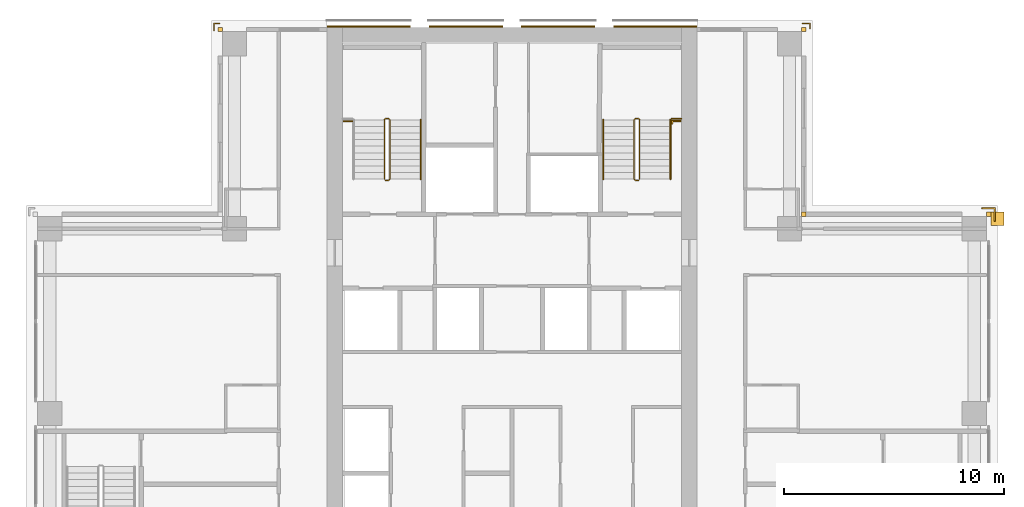
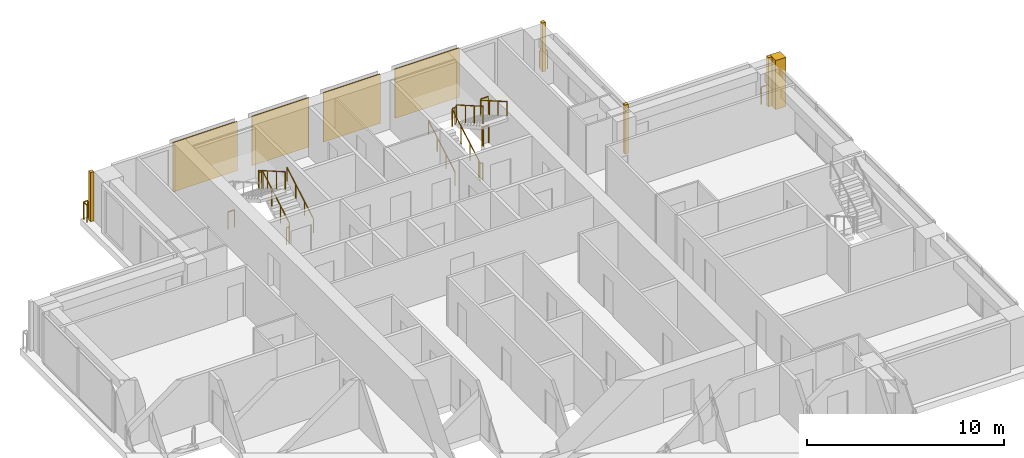
# One storey, part 16 of 16: 11 railings, 9 coverings.
"""IFC4 building model written with IfcOpenShell, lengths in metres."""

from ifc_helpers import new_model, si_unit, direction, frame, origin, origin_2d, place, context, subcontext, project, spatial, polyline, rectangle, outline, extrude, material, type_object, element, save


model = new_model("IFC4")

# Units and contexts
model_context = context("Model", 3, precision=1e-05, world=origin(), true_north=direction((0.0, 1.0)))
body_context = subcontext(model_context, "Body", "Model", "MODEL_VIEW")
ifc_project = project(units=[si_unit("LENGTHUNIT", "METRE"), si_unit("AREAUNIT", "SQUARE_METRE"), si_unit("VOLUMEUNIT", "CUBIC_METRE"), si_unit("PLANEANGLEUNIT", "RADIAN"), si_unit("MASSUNIT", "GRAM", prefix="KILO")], contexts=[model_context])

# Site, building, storey
site_placement = place(None, origin())
site = spatial("IfcSite", under=ifc_project, at=site_placement, CompositionType="ELEMENT")
building_placement = place(site_placement, origin())
building = spatial("IfcBuilding", under=site, at=building_placement, Name="Vermilion Ogive Tower", CompositionType="ELEMENT")
storey_placement = place(building_placement, frame((0.0, 0.0, 136.550048828125)))
storey = spatial("IfcBuildingStorey", under=building, at=storey_placement, Name="L34", CompositionType="ELEMENT", Elevation=136.550048828125)

# Railings
ifc_material_1 = material(Name="Stainless steel", Category="steel")
railing_type_1 = type_object("IfcRailingType", Name="Slab edge guard SG1", PredefinedType="GUARDRAIL", material=ifc_material_1)
railing_1_placement = place(storey_placement, frame((-13.530029296875, 21.60009765625, 0.0)))
element("IfcRailing", 1, at=railing_1_placement, inside=storey, type_object=railing_type_1, Name="L34 slab corner guard", PredefinedType="GUARDRAIL", context=body_context, shape_type="SweptSolid", body=[
    extrude(rectangle(XDim=0.050048828125, YDim=0.050048828125, at=origin_2d()), frame((0.0, 0.0, 1.0751953125), z_axis=(0.0, 1.0, 0.0), x_axis=(-1.0, 0.0, 0.0)), (0.0, 0.0, 1.0), 0.329833984375),
    extrude(rectangle(XDim=0.050048828125, YDim=0.050048828125, at=origin_2d()), frame((0.0, 0.329833984375, 1.0751953125), z_axis=(1.0, 0.0, 0.0), x_axis=(0.0, 1.0, 0.0)), (0.0, 0.0, 1.0), 0.22998046875),
    extrude(rectangle(XDim=0.050048828125, YDim=0.050048828125, at=origin_2d()), origin(), (0.0, 0.0, 1.0), 1.050048828125),
    extrude(rectangle(XDim=0.050048828125, YDim=0.050048828125, at=origin_2d()), frame((0.0, 0.329833984375, 0.0)), (0.0, 0.0, 1.0), 1.050048828125),
    extrude(rectangle(XDim=0.050048828125, YDim=0.050048828125, at=origin_2d()), frame((0.22998046875, 0.329833984375, 0.0)), (0.0, 0.0, 1.0), 1.050048828125),
])
railing_2_placement = place(storey_placement, frame((13.199951171875, 21.929931640625, 0.0)))
element("IfcRailing", 2, at=railing_2_placement, inside=storey, type_object=railing_type_1, Name="L34 slab corner guard", PredefinedType="GUARDRAIL", context=body_context, shape_type="SweptSolid", body=[
    extrude(rectangle(XDim=0.050048828125, YDim=0.050048828125, at=origin_2d()), frame((0.0, 0.0, 1.0751953125), z_axis=(1.0, 0.0, 0.0), x_axis=(0.0, 1.0, 0.0)), (0.0, 0.0, 1.0), 0.330078125),
    extrude(rectangle(XDim=0.050048828125, YDim=0.050048828125, at=origin_2d()), frame((0.330078125, 0.0, 1.0751953125), z_axis=(0.0, -1.0, 0.0), x_axis=(1.0, 0.0, 0.0)), (0.0, 0.0, 1.0), 0.22998046875),
    extrude(rectangle(XDim=0.050048828125, YDim=0.050048828125, at=origin_2d()), origin(), (0.0, 0.0, 1.0), 1.050048828125),
    extrude(rectangle(XDim=0.050048828125, YDim=0.050048828125, at=origin_2d()), frame((0.330078125, 0.0, 0.0)), (0.0, 0.0, 1.0), 1.050048828125),
    extrude(rectangle(XDim=0.050048828125, YDim=0.050048828125, at=origin_2d()), frame((0.330078125, -0.22998046875, 0.0)), (0.0, 0.0, 1.0), 1.050048828125),
])
railing_3_placement = place(storey_placement, frame((21.929931640625, 12.949951171875, 0.0)))
element("IfcRailing", 3, at=railing_3_placement, inside=storey, type_object=railing_type_1, Name="L34 slab corner guard", PredefinedType="GUARDRAIL", context=body_context, shape_type="SweptSolid", body=[
    extrude(rectangle(XDim=0.050048828125, YDim=0.050048828125, at=origin_2d()), frame((0.0, 0.0, 1.0751953125), z_axis=(0.0, 1.0, 0.0), x_axis=(-1.0, 0.0, 0.0)), (0.0, 0.0, 1.0), 0.580078125),
    extrude(rectangle(XDim=0.050048828125, YDim=0.050048828125, at=origin_2d()), frame((0.0, 0.580078125, 1.0751953125), z_axis=(-1.0, 0.0, 0.0), x_axis=(0.0, -1.0, 0.0)), (0.0, 0.0, 1.0), 0.579833984375),
    extrude(rectangle(XDim=0.050048828125, YDim=0.050048828125, at=origin_2d()), origin(), (0.0, 0.0, 1.0), 1.050048828125),
    extrude(rectangle(XDim=0.050048828125, YDim=0.050048828125, at=origin_2d()), frame((0.0, 0.580078125, 0.0)), (0.0, 0.0, 1.0), 1.050048828125),
    extrude(rectangle(XDim=0.050048828125, YDim=0.050048828125, at=origin_2d()), frame((-0.579833984375, 0.580078125, 0.0)), (0.0, 0.0, 1.0), 1.050048828125),
])
ifc_material_2 = material(Name="Steel S355 painted", Category="steel")
railing_type_2 = type_object("IfcRailingType", Name="Stair guard 1100", PredefinedType="GUARDRAIL", material=ifc_material_2)
railing_4_placement = place(storey_placement, frame((-5.75, 14.800048828125, 0.0)))
element("IfcRailing", 4, at=railing_4_placement, inside=storey, type_object=railing_type_2, Name="L34 ST1 stair guard 4", PredefinedType="GUARDRAIL", context=body_context, shape_type="SweptSolid", body=[
    extrude(rectangle(XDim=0.048095703125, YDim=0.048095703125, at=origin_2d()), frame((0.0, 0.0, 1.076171875), z_axis=(1.0, 0.0, 0.0), x_axis=(0.0, 1.0, 0.0)), (0.0, 0.0, 1.0), 0.14990234375),
    extrude(rectangle(XDim=0.048095703125, YDim=0.048095703125, at=origin_2d()), frame((0.14990234375, 0.0, 1.076171875), z_axis=(0.268603158521, 0.268603158521, 0.925043072762), x_axis=(-0.707106781187, 0.707106781187, 0.0)), (0.0, 0.0, 1.0), 0.186279296875),
    extrude(rectangle(XDim=0.048095703125, YDim=0.048095703125, at=origin_2d()), frame((0.199951171875, 0.050048828125, 1.24853515625), z_axis=(0.0, 0.866903762492, 0.498475542607), x_axis=(-1.0, 0.0, 0.0)), (0.0, 0.0, 1.0), 3.114501953125),
    extrude(rectangle(XDim=0.048095703125, YDim=0.048095703125, at=origin_2d()), frame((0.199951171875, 2.75, 2.80078125), z_axis=(-0.707106781187, 0.707106781187, 0.0), x_axis=(-0.707106781187, -0.707106781187, 0.0)), (0.0, 0.0, 1.0), 0.07080078125),
    extrude(rectangle(XDim=0.048095703125, YDim=0.048095703125, at=origin_2d()), frame((0.14990234375, 2.800048828125, 2.80078125), z_axis=(-1.0, 0.0, 0.0), x_axis=(0.0, -1.0, 0.0)), (0.0, 0.0, 1.0), 0.14990234375),
    extrude(rectangle(XDim=0.048095703125, YDim=0.048095703125, at=origin_2d()), frame((0.0, 2.800048828125, 2.80078125), z_axis=(-0.268277960024, -0.268277960024, 0.925231793839), x_axis=(0.707106781187, -0.707106781187, 0.0)), (0.0, 0.0, 1.0), 0.1865234375),
    extrude(rectangle(XDim=0.048095703125, YDim=0.048095703125, at=origin_2d()), frame((-0.050048828125, 2.75, 2.9736328125), z_axis=(0.0, -0.866903762492, 0.498475542607), x_axis=(1.0, 0.0, 0.0)), (0.0, 0.0, 1.0), 3.114501953125),
    extrude(rectangle(XDim=0.0419921875, YDim=0.0419921875, at=origin_2d()), origin(), (0.0, 0.0, 1.0), 1.052001953125),
    extrude(rectangle(XDim=0.0419921875, YDim=0.0419921875, at=origin_2d()), frame((0.14990234375, 0.0, 0.0)), (0.0, 0.0, 1.0), 1.052001953125),
    extrude(rectangle(XDim=0.0419921875, YDim=0.0419921875, at=origin_2d()), frame((0.199951171875, 0.050048828125, 0.17236328125)), (0.0, 0.0, 1.0), 1.052001953125),
    extrude(rectangle(XDim=0.0419921875, YDim=0.0419921875, at=origin_2d()), frame((0.199951171875, 0.949951171875, 0.68994140625)), (0.0, 0.0, 1.0), 1.052001953125),
    extrude(rectangle(XDim=0.0419921875, YDim=0.0419921875, at=origin_2d()), frame((0.199951171875, 1.85009765625, 1.207275390625)), (0.0, 0.0, 1.0), 1.052001953125),
    extrude(rectangle(XDim=0.0419921875, YDim=0.0419921875, at=origin_2d()), frame((0.199951171875, 2.75, 1.724853515625)), (0.0, 0.0, 1.0), 1.052001953125),
    extrude(rectangle(XDim=0.0419921875, YDim=0.0419921875, at=origin_2d()), frame((0.14990234375, 2.800048828125, 1.724853515625)), (0.0, 0.0, 1.0), 1.052001953125),
    extrude(rectangle(XDim=0.0419921875, YDim=0.0419921875, at=origin_2d()), frame((0.0, 2.800048828125, 1.724853515625)), (0.0, 0.0, 1.0), 1.052001953125),
    extrude(rectangle(XDim=0.0419921875, YDim=0.0419921875, at=origin_2d()), frame((-0.050048828125, 2.75, 1.8974609375)), (0.0, 0.0, 1.0), 1.052001953125),
    extrude(rectangle(XDim=0.0419921875, YDim=0.0419921875, at=origin_2d()), frame((-0.050048828125, 1.85009765625, 2.4150390625)), (0.0, 0.0, 1.0), 1.052001953125),
    extrude(rectangle(XDim=0.0419921875, YDim=0.0419921875, at=origin_2d()), frame((-0.050048828125, 0.949951171875, 2.932373046875)), (0.0, 0.0, 1.0), 1.052001953125),
    extrude(rectangle(XDim=0.0419921875, YDim=0.0419921875, at=origin_2d()), frame((-0.050048828125, 0.050048828125, 3.449951171875)), (0.0, 0.0, 1.0), 1.052001953125),
])
railing_5_placement = place(storey_placement, frame((5.75, 14.800048828125, 0.0)))
element("IfcRailing", 5, at=railing_5_placement, inside=storey, type_object=railing_type_2, Name="L34 ST2 stair guard 4", PredefinedType="GUARDRAIL", context=body_context, shape_type="SweptSolid", body=[
    extrude(rectangle(XDim=0.048095703125, YDim=0.048095703125, at=origin_2d()), frame((0.0, 0.0, 1.076171875), z_axis=(-1.0, 0.0, 0.0), x_axis=(0.0, -1.0, 0.0)), (0.0, 0.0, 1.0), 0.14990234375),
    extrude(rectangle(XDim=0.048095703125, YDim=0.048095703125, at=origin_2d()), frame((-0.14990234375, 0.0, 1.076171875), z_axis=(-0.268603158521, 0.268603158521, 0.925043072762), x_axis=(-0.707106781187, -0.707106781187, 0.0)), (0.0, 0.0, 1.0), 0.186279296875),
    extrude(rectangle(XDim=0.048095703125, YDim=0.048095703125, at=origin_2d()), frame((-0.199951171875, 0.050048828125, 1.24853515625), z_axis=(0.0, 0.866903762492, 0.498475542607), x_axis=(-1.0, 0.0, 0.0)), (0.0, 0.0, 1.0), 3.114501953125),
    extrude(rectangle(XDim=0.048095703125, YDim=0.048095703125, at=origin_2d()), frame((-0.199951171875, 2.75, 2.80078125), z_axis=(0.707106781187, 0.707106781187, 0.0), x_axis=(-0.707106781187, 0.707106781187, 0.0)), (0.0, 0.0, 1.0), 0.07080078125),
    extrude(rectangle(XDim=0.048095703125, YDim=0.048095703125, at=origin_2d()), frame((-0.14990234375, 2.800048828125, 2.80078125), z_axis=(1.0, 0.0, 0.0), x_axis=(0.0, 1.0, 0.0)), (0.0, 0.0, 1.0), 0.14990234375),
    extrude(rectangle(XDim=0.048095703125, YDim=0.048095703125, at=origin_2d()), frame((0.0, 2.800048828125, 2.80078125), z_axis=(0.268277960024, -0.268277960024, 0.925231793839), x_axis=(0.707106781187, 0.707106781187, 0.0)), (0.0, 0.0, 1.0), 0.1865234375),
    extrude(rectangle(XDim=0.048095703125, YDim=0.048095703125, at=origin_2d()), frame((0.050048828125, 2.75, 2.9736328125), z_axis=(0.0, -0.866903762492, 0.498475542607), x_axis=(1.0, 0.0, 0.0)), (0.0, 0.0, 1.0), 3.114501953125),
    extrude(rectangle(XDim=0.0419921875, YDim=0.0419921875, at=origin_2d()), origin(), (0.0, 0.0, 1.0), 1.052001953125),
    extrude(rectangle(XDim=0.0419921875, YDim=0.0419921875, at=origin_2d()), frame((-0.14990234375, 0.0, 0.0)), (0.0, 0.0, 1.0), 1.052001953125),
    extrude(rectangle(XDim=0.0419921875, YDim=0.0419921875, at=origin_2d()), frame((-0.199951171875, 0.050048828125, 0.17236328125)), (0.0, 0.0, 1.0), 1.052001953125),
    extrude(rectangle(XDim=0.0419921875, YDim=0.0419921875, at=origin_2d()), frame((-0.199951171875, 0.949951171875, 0.68994140625)), (0.0, 0.0, 1.0), 1.052001953125),
    extrude(rectangle(XDim=0.0419921875, YDim=0.0419921875, at=origin_2d()), frame((-0.199951171875, 1.85009765625, 1.207275390625)), (0.0, 0.0, 1.0), 1.052001953125),
    extrude(rectangle(XDim=0.0419921875, YDim=0.0419921875, at=origin_2d()), frame((-0.199951171875, 2.75, 1.724853515625)), (0.0, 0.0, 1.0), 1.052001953125),
    extrude(rectangle(XDim=0.0419921875, YDim=0.0419921875, at=origin_2d()), frame((-0.14990234375, 2.800048828125, 1.724853515625)), (0.0, 0.0, 1.0), 1.052001953125),
    extrude(rectangle(XDim=0.0419921875, YDim=0.0419921875, at=origin_2d()), frame((0.0, 2.800048828125, 1.724853515625)), (0.0, 0.0, 1.0), 1.052001953125),
    extrude(rectangle(XDim=0.0419921875, YDim=0.0419921875, at=origin_2d()), frame((0.050048828125, 2.75, 1.8974609375)), (0.0, 0.0, 1.0), 1.052001953125),
    extrude(rectangle(XDim=0.0419921875, YDim=0.0419921875, at=origin_2d()), frame((0.050048828125, 1.85009765625, 2.4150390625)), (0.0, 0.0, 1.0), 1.052001953125),
    extrude(rectangle(XDim=0.0419921875, YDim=0.0419921875, at=origin_2d()), frame((0.050048828125, 0.949951171875, 2.932373046875)), (0.0, 0.0, 1.0), 1.052001953125),
    extrude(rectangle(XDim=0.0419921875, YDim=0.0419921875, at=origin_2d()), frame((0.050048828125, 0.050048828125, 3.449951171875)), (0.0, 0.0, 1.0), 1.052001953125),
])
railing_6_placement = place(storey_placement, frame((7.25, 17.60009765625, 1.724853515625)))
element("IfcRailing", 6, at=railing_6_placement, inside=storey, type_object=railing_type_2, Name="L34 landing guard", PredefinedType="GUARDRAIL", context=body_context, shape_type="SweptSolid", body=[
    extrude(rectangle(XDim=0.048095703125, YDim=0.048095703125, at=origin_2d()), frame((0.0, 0.0, 1.076171875), z_axis=(1.0, 0.0, 0.0), x_axis=(0.0, 1.0, 0.0)), (0.0, 0.0, 1.0), 0.449951171875),
    extrude(rectangle(XDim=0.0419921875, YDim=0.0419921875, at=origin_2d()), origin(), (0.0, 0.0, 1.0), 1.052001953125),
    extrude(rectangle(XDim=0.0419921875, YDim=0.0419921875, at=origin_2d()), frame((0.449951171875, 0.0, 0.0)), (0.0, 0.0, 1.0), 1.052001953125),
])
railing_7_placement = place(storey_placement, frame((-7.639892578125, 17.489990234375, 0.0)))
element("IfcRailing", 7, at=railing_7_placement, inside=storey, type_object=railing_type_2, Name="L34 stair opening guard", PredefinedType="GUARDRAIL", context=body_context, shape_type="SweptSolid", body=[
    extrude(rectangle(XDim=0.048095703125, YDim=0.048095703125, at=origin_2d()), frame((0.0, 0.0, 1.076171875), z_axis=(1.0, 0.0, 0.0), x_axis=(0.0, 1.0, 0.0)), (0.0, 0.0, 1.0), 0.389892578125),
    extrude(rectangle(XDim=0.0419921875, YDim=0.0419921875, at=origin_2d()), origin(), (0.0, 0.0, 1.0), 1.052001953125),
    extrude(rectangle(XDim=0.0419921875, YDim=0.0419921875, at=origin_2d()), frame((0.389892578125, 0.0, 0.0)), (0.0, 0.0, 1.0), 1.052001953125),
])
railing_8_placement = place(storey_placement, frame((7.267578125, 17.372802734375, 0.0)))
element("IfcRailing", 8, at=railing_8_placement, inside=storey, type_object=railing_type_2, Name="L34 stair opening guard", PredefinedType="GUARDRAIL", context=body_context, shape_type="SweptSolid", body=[
    extrude(rectangle(XDim=0.048095703125, YDim=0.048095703125, at=origin_2d()), frame((0.0, 0.0, 1.076171875), z_axis=(0.0, 1.0, 0.0), x_axis=(-1.0, 0.0, 0.0)), (0.0, 0.0, 1.0), 0.119873046875),
    extrude(rectangle(XDim=0.048095703125, YDim=0.048095703125, at=origin_2d()), frame((0.0, 0.119873046875, 1.076171875), z_axis=(1.0, 0.0, 0.0), x_axis=(0.0, 1.0, 0.0)), (0.0, 0.0, 1.0), 0.39013671875),
    extrude(rectangle(XDim=0.0419921875, YDim=0.0419921875, at=origin_2d()), origin(), (0.0, 0.0, 1.0), 1.052001953125),
    extrude(rectangle(XDim=0.0419921875, YDim=0.0419921875, at=origin_2d()), frame((0.0, 0.119873046875, 0.0)), (0.0, 0.0, 1.0), 1.052001953125),
    extrude(rectangle(XDim=0.0419921875, YDim=0.0419921875, at=origin_2d()), frame((0.39013671875, 0.119873046875, 0.0)), (0.0, 0.0, 1.0), 1.052001953125),
])
ifc_material_3 = material(Name="Stainless steel", Category="steel")
railing_type_3 = type_object("IfcRailingType", Name="Stair handrail 900", PredefinedType="HANDRAIL", material=ifc_material_3)
for number, where, name in (
    (9, (-4.14990234375, 14.85009765625, 0.17236328125), "L34 ST1 stair handrail 1"),
    (10, (4.14990234375, 14.85009765625, 0.17236328125), "L34 ST2 stair handrail 1"),
):
    element("IfcRailing", number, at=place(storey_placement, frame(where)), inside=storey, type_object=railing_type_3, Name=name, PredefinedType="HANDRAIL", context=body_context, shape_type="SweptSolid", body=[
        extrude(rectangle(XDim=0.048095703125, YDim=0.048095703125, at=origin_2d()), frame((0.0, 0.0, 0.8759765625), z_axis=(0.0, 0.866903762492, 0.498475542607), x_axis=(-1.0, 0.0, 0.0)), (0.0, 0.0, 1.0), 3.114501953125),
        extrude(rectangle(XDim=0.0419921875, YDim=0.0419921875, at=origin_2d()), origin(), (0.0, 0.0, 1.0), 0.851806640625),
        extrude(rectangle(XDim=0.0419921875, YDim=0.0419921875, at=origin_2d()), frame((0.0, 0.89990234375, 0.517578125)), (0.0, 0.0, 1.0), 0.851806640625),
        extrude(rectangle(XDim=0.0419921875, YDim=0.0419921875, at=origin_2d()), frame((0.0, 1.800048828125, 1.034912109375)), (0.0, 0.0, 1.0), 0.851806640625),
        extrude(rectangle(XDim=0.0419921875, YDim=0.0419921875, at=origin_2d()), frame((0.0, 2.699951171875, 1.552490234375)), (0.0, 0.0, 1.0), 0.851806640625),
    ])
railing_9_placement = place(storey_placement, frame((7.199951171875, 17.550048828125, 1.8974609375)))
element("IfcRailing", 11, at=railing_9_placement, inside=storey, type_object=railing_type_3, Name="L34 ST2 stair handrail 2", PredefinedType="HANDRAIL", context=body_context, shape_type="SweptSolid", body=[
    extrude(rectangle(XDim=0.048095703125, YDim=0.048095703125, at=origin_2d()), frame((0.0, 0.0, 0.8759765625), z_axis=(0.0, -0.866903762492, 0.498475542607), x_axis=(1.0, 0.0, 0.0)), (0.0, 0.0, 1.0), 3.114501953125),
    extrude(rectangle(XDim=0.0419921875, YDim=0.0419921875, at=origin_2d()), origin(), (0.0, 0.0, 1.0), 0.851806640625),
    extrude(rectangle(XDim=0.0419921875, YDim=0.0419921875, at=origin_2d()), frame((0.0, -0.89990234375, 0.517578125)), (0.0, 0.0, 1.0), 0.851806640625),
    extrude(rectangle(XDim=0.0419921875, YDim=0.0419921875, at=origin_2d()), frame((0.0, -1.800048828125, 1.034912109375)), (0.0, 0.0, 1.0), 0.851806640625),
    extrude(rectangle(XDim=0.0419921875, YDim=0.0419921875, at=origin_2d()), frame((0.0, -2.699951171875, 1.552490234375)), (0.0, 0.0, 1.0), 0.851806640625),
])

# Coverings
ifc_material_4 = material(Name="Stone cladding", Category="masonry")
covering_type_1 = type_object("IfcCoveringType", Name="Stone cladding panel", PredefinedType="CLADDING", material=ifc_material_4)
covering_1_placement = place(storey_placement, origin())
element("IfcCovering", 12, at=covering_1_placement, inside=storey, type_object=covering_type_1, Name="Stone cladding panel N1", PredefinedType="CLADDING", context=body_context, shape_type="SweptSolid", body=[
    extrude(outline(polyline([(-8.389892578125, 21.75), (-4.6298828125, 21.75), (-4.6298828125, 21.81005859375), (-8.389892578125, 21.81005859375), (-8.389892578125, 21.75)])), origin(), (0.0, 0.0, 1.0), 3.050048828125),
])
covering_2_placement = place(storey_placement, origin())
element("IfcCovering", 13, at=covering_2_placement, inside=storey, type_object=covering_type_1, Name="Stone cladding panel N2", PredefinedType="CLADDING", context=body_context, shape_type="SweptSolid", body=[
    extrude(outline(polyline([(-3.77001953125, 21.75), (-0.429931640625, 21.75), (-0.429931640625, 21.81005859375), (-3.77001953125, 21.81005859375), (-3.77001953125, 21.75)])), origin(), (0.0, 0.0, 1.0), 3.050048828125),
])
covering_3_placement = place(storey_placement, origin())
element("IfcCovering", 14, at=covering_3_placement, inside=storey, type_object=covering_type_1, Name="Stone cladding panel N3", PredefinedType="CLADDING", context=body_context, shape_type="SweptSolid", body=[
    extrude(outline(polyline([(0.429931640625, 21.75), (3.77001953125, 21.75), (3.77001953125, 21.81005859375), (0.429931640625, 21.81005859375), (0.429931640625, 21.75)])), origin(), (0.0, 0.0, 1.0), 3.050048828125),
])
covering_4_placement = place(storey_placement, origin())
element("IfcCovering", 15, at=covering_4_placement, inside=storey, type_object=covering_type_1, Name="Stone cladding panel N4", PredefinedType="CLADDING", context=body_context, shape_type="SweptSolid", body=[
    extrude(outline(polyline([(4.6298828125, 21.75), (8.389892578125, 21.75), (8.389892578125, 21.81005859375), (4.6298828125, 21.81005859375), (4.6298828125, 21.75)])), origin(), (0.0, 0.0, 1.0), 3.050048828125),
])
ifc_material_5 = material(Name="Stone cladding", Category="masonry")
covering_type_2 = type_object("IfcCoveringType", Name="Stone corner buttress", PredefinedType="CLADDING", material=ifc_material_5)
covering_5_placement = place(storey_placement, origin())
element("IfcCovering", 16, at=covering_5_placement, inside=storey, type_object=covering_type_2, Name="Stone crease pier EK", PredefinedType="CLADDING", context=body_context, shape_type="SweptSolid", body=[
    extrude(outline(polyline([(22.35009765625, 12.75), (22.35009765625, 13.35009765625), (21.75, 13.35009765625), (21.75, 12.75), (22.35009765625, 12.75)])), origin(), (0.0, 0.0, 1.0), 3.050048828125),
])
ifc_material_6 = material(Name="Stone cladding", Category="masonry")
covering_type_3 = type_object("IfcCoveringType", Name="Stone pier", PredefinedType="CLADDING", material=ifc_material_6)
covering_6_placement = place(storey_placement, origin())
element("IfcCovering", 17, at=covering_6_placement, inside=storey, type_object=covering_type_3, Name="Stone corner pier EE1", PredefinedType="CLADDING", context=body_context, shape_type="SweptSolid", body=[
    extrude(outline(polyline([(21.75, 13.14990234375), (21.550048828125, 13.14990234375), (21.550048828125, 13.35009765625), (21.75, 13.35009765625), (21.75, 13.14990234375)])), origin(), (0.0, 0.0, 1.0), 3.050048828125),
])
covering_7_placement = place(storey_placement, origin())
element("IfcCovering", 18, at=covering_7_placement, inside=storey, type_object=covering_type_3, Name="Stone corner pier X3E1", PredefinedType="CLADDING", context=body_context, shape_type="SweptSolid", body=[
    extrude(outline(polyline([(13.14990234375, 13.14990234375), (13.14990234375, 13.35009765625), (13.35009765625, 13.35009765625), (13.35009765625, 13.14990234375), (13.14990234375, 13.14990234375)])), origin(), (0.0, 0.0, 1.0), 3.050048828125),
])
covering_8_placement = place(storey_placement, origin())
element("IfcCovering", 19, at=covering_8_placement, inside=storey, type_object=covering_type_3, Name="Stone corner pier X4E1", PredefinedType="CLADDING", context=body_context, shape_type="SweptSolid", body=[
    extrude(outline(polyline([(13.35009765625, 21.550048828125), (13.14990234375, 21.550048828125), (13.14990234375, 21.75), (13.35009765625, 21.75), (13.35009765625, 21.550048828125)])), origin(), (0.0, 0.0, 1.0), 3.050048828125),
])
covering_9_placement = place(storey_placement, origin())
element("IfcCovering", 20, at=covering_9_placement, inside=storey, type_object=covering_type_3, Name="Stone corner pier N2E1", PredefinedType="CLADDING", context=body_context, shape_type="SweptSolid", body=[
    extrude(outline(polyline([(-13.14990234375, 21.75), (-13.14990234375, 21.550048828125), (-13.35009765625, 21.550048828125), (-13.35009765625, 21.75), (-13.14990234375, 21.75)])), origin(), (0.0, 0.0, 1.0), 3.050048828125),
])

save(model, "model.ifc")
